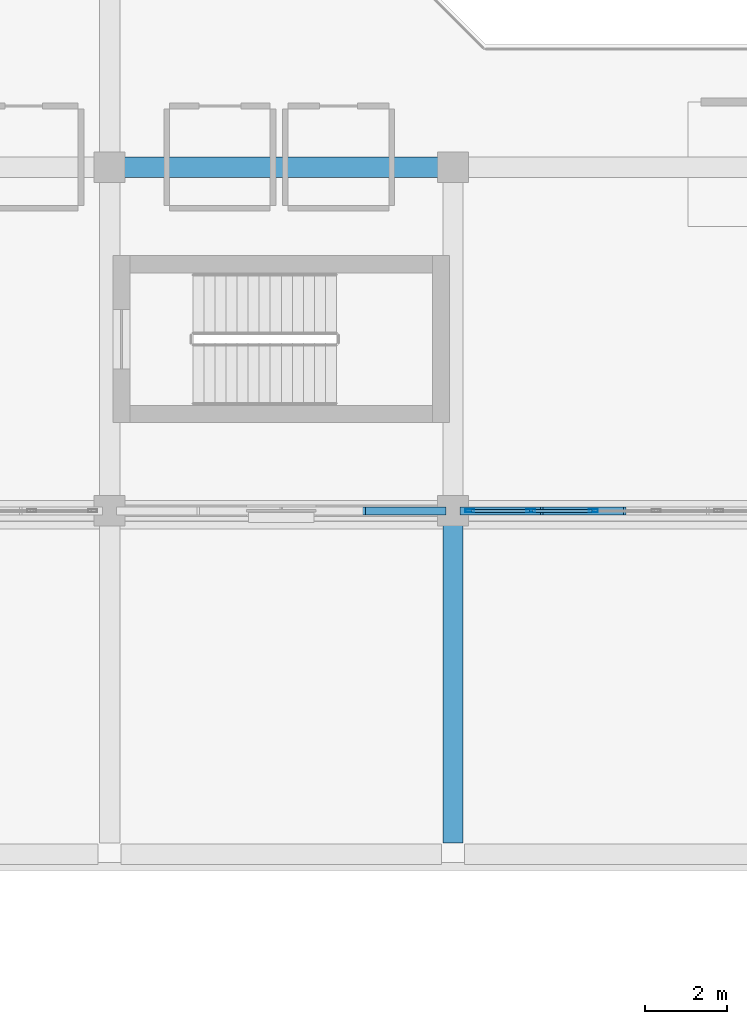
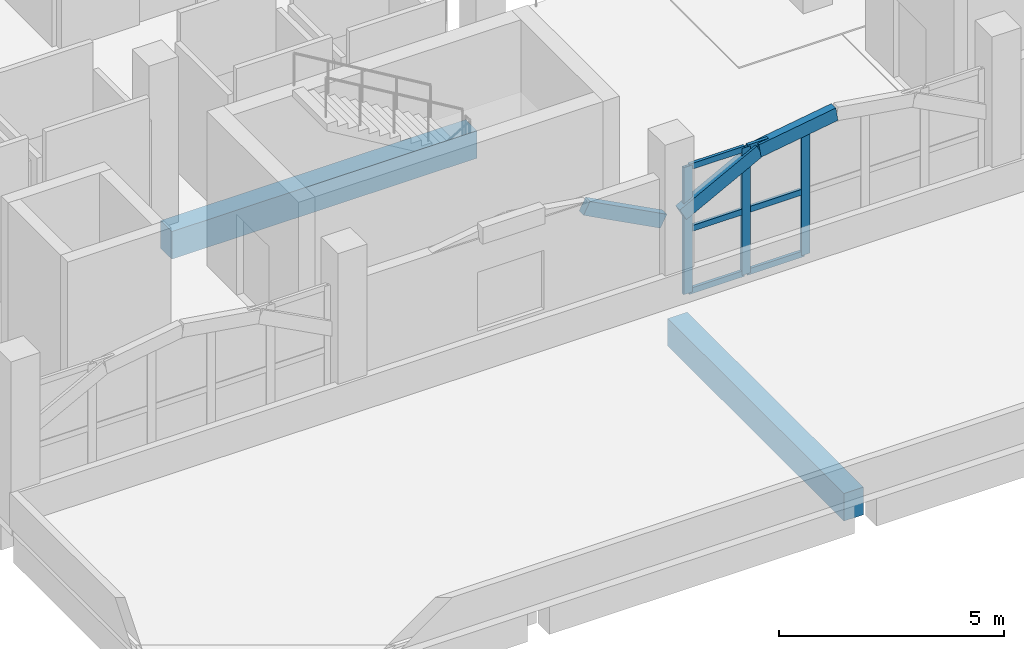
# One storey, part 5 of 30: 12 members, 2 beams, 1 element without a shape of its own.
"""IFC4 building model written with IfcOpenShell, lengths in metres."""

from ifc_helpers import new_model, si_unit, direction, frame, origin, origin_2d, place, context, subcontext, project, spatial, rectangle, hollow_rectangle, extrude, material, layer, layer_set, material_profile, profile_set, type_object, element, aggregate, save


model = new_model("IFC4")

# Units and contexts
model_context = context("Model", 3, precision=1e-05, world=origin(), true_north=direction((0.0, 1.0)))
body_context = subcontext(model_context, "Body", "Model", "MODEL_VIEW")
ifc_project = project(units=[si_unit("LENGTHUNIT", "METRE"), si_unit("AREAUNIT", "SQUARE_METRE"), si_unit("VOLUMEUNIT", "CUBIC_METRE"), si_unit("PLANEANGLEUNIT", "RADIAN"), si_unit("MASSUNIT", "GRAM", prefix="KILO")], contexts=[model_context])

# Site, building, storey
site_placement = place(None, origin())
site = spatial("IfcSite", under=ifc_project, at=site_placement, CompositionType="ELEMENT")
building_placement = place(site_placement, origin())
building = spatial("IfcBuilding", under=site, at=building_placement, Name="Xazarin Passage Department Store", CompositionType="ELEMENT")
storey_placement = place(building_placement, frame((0.0, 0.0, 23.39990234375)))
storey = spatial("IfcBuildingStorey", under=building, at=storey_placement, Name="L05", CompositionType="ELEMENT", Elevation=23.39990234375)

# Curtain wall, members
ifc_material_1 = material(Name="Bronze anodised aluminium", Category="aluminium")
ifc_layer = layer(ifc_material_1, 0.199951171875)
ifc_layer_set = layer_set([ifc_layer], Name="Bronze anodised aluminium")
curtain_wall_type = type_object("IfcCurtainWallType", Name="ARC-CW-VIT2", PredefinedType="NOTDEFINED", material=ifc_layer_set)
curtain_wall_placement = place(storey_placement, origin())
curtain_wall = element("IfcCurtainWall", 1, at=curtain_wall_placement, inside=storey, type_object=curtain_wall_type, Name="L05 V1 Curtain Wall 077", PredefinedType="NOTDEFINED")
ifc_material_profile_1 = material_profile(ifc_material_1, hollow_rectangle(XDim=0.074951171875, YDim=0.219970703125, WallThickness=0.0048828125, at=origin_2d()), Name="ALU 75x220")
ifc_profile_set_1 = profile_set([ifc_material_profile_1], Name="Bronze anodised aluminium")
member_type_1 = type_object("IfcMemberType", Name="ARC-CWM-75x220", PredefinedType="MULLION", material=ifc_profile_set_1)
member_1_placement = place(storey_placement, frame((17.21240234375, 76.39990234375, 0.0), z_axis=(0.0, 0.0, 1.0), x_axis=(0.0, 1.0, 0.0)))
member_1 = element("IfcMember", 2, at=member_1_placement, type_object=member_type_1, Name="CW2 mullion 1", PredefinedType="MULLION", context=body_context, shape_type="SweptSolid", body=[
    extrude(hollow_rectangle(XDim=0.074951171875, YDim=0.219970703125, WallThickness=0.0048828125, at=origin_2d()), origin(), (0.0, 0.0, 1.0), 3.4501953125),
])
member_2_placement = place(storey_placement, frame((18.705078125, 76.39990234375, 0.0), z_axis=(0.0, 0.0, 1.0), x_axis=(0.0, 1.0, 0.0)))
member_2 = element("IfcMember", 3, at=member_2_placement, type_object=member_type_1, Name="CW2 mullion 2", PredefinedType="MULLION", context=body_context, shape_type="SweptSolid", body=[
    extrude(hollow_rectangle(XDim=0.074951171875, YDim=0.219970703125, WallThickness=0.0048828125, at=origin_2d()), origin(), (0.0, 0.0, 1.0), 3.4501953125),
])
member_3_placement = place(storey_placement, frame((20.235107421875, 76.39990234375, 0.0), z_axis=(0.0, 0.0, 1.0), x_axis=(0.0, 1.0, 0.0)))
member_3 = element("IfcMember", 4, at=member_3_placement, type_object=member_type_1, Name="CW2 mullion 3", PredefinedType="MULLION", context=body_context, shape_type="SweptSolid", body=[
    extrude(hollow_rectangle(XDim=0.074951171875, YDim=0.219970703125, WallThickness=0.0048828125, at=origin_2d()), origin(), (0.0, 0.0, 1.0), 3.4501953125),
])
ifc_material_profile_2 = material_profile(ifc_material_1, hollow_rectangle(XDim=0.074951171875, YDim=0.159912109375, WallThickness=0.00439453125, at=origin_2d()), Name="ALU 75x160")
ifc_profile_set_2 = profile_set([ifc_material_profile_2], Name="Bronze anodised aluminium")
member_type_2 = type_object("IfcMemberType", Name="ARC-CWT-75x160", PredefinedType="USERDEFINED", material=ifc_profile_set_2)
member_4_placement = place(storey_placement, frame((17.25, 76.39990234375, 0.03759765625), z_axis=(1.0, 0.0, 0.0), x_axis=(0.0, 1.0, 0.0)))
member_4 = element("IfcMember", 5, at=member_4_placement, type_object=member_type_2, Name="CW2 transom 1.1", ObjectType="TRANSOM", PredefinedType="USERDEFINED", context=body_context, shape_type="SweptSolid", body=[
    extrude(hollow_rectangle(XDim=0.074951171875, YDim=0.159912109375, WallThickness=0.00439453125, at=origin_2d()), origin(), (0.0, 0.0, 1.0), 1.41748046875),
])
member_5_placement = place(storey_placement, frame((17.25, 76.39990234375, 1.72509765625), z_axis=(1.0, 0.0, 0.0), x_axis=(0.0, 1.0, 0.0)))
member_5 = element("IfcMember", 6, at=member_5_placement, type_object=member_type_2, Name="CW2 transom 1.2", ObjectType="TRANSOM", PredefinedType="USERDEFINED", context=body_context, shape_type="SweptSolid", body=[
    extrude(hollow_rectangle(XDim=0.074951171875, YDim=0.159912109375, WallThickness=0.00439453125, at=origin_2d()), origin(), (0.0, 0.0, 1.0), 1.41748046875),
])
member_6_placement = place(storey_placement, frame((17.25, 76.39990234375, 3.41259765625), z_axis=(1.0, 0.0, 0.0), x_axis=(0.0, 1.0, 0.0)))
member_6 = element("IfcMember", 7, at=member_6_placement, type_object=member_type_2, Name="CW2 transom 1.3", ObjectType="TRANSOM", PredefinedType="USERDEFINED", context=body_context, shape_type="SweptSolid", body=[
    extrude(hollow_rectangle(XDim=0.074951171875, YDim=0.159912109375, WallThickness=0.00439453125, at=origin_2d()), origin(), (0.0, 0.0, 1.0), 1.41748046875),
])
member_7_placement = place(storey_placement, frame((18.742431640625, 76.39990234375, 0.03759765625), z_axis=(1.0, 0.0, 0.0), x_axis=(0.0, 1.0, 0.0)))
member_7 = element("IfcMember", 8, at=member_7_placement, type_object=member_type_2, Name="CW2 transom 2.1", ObjectType="TRANSOM", PredefinedType="USERDEFINED", context=body_context, shape_type="SweptSolid", body=[
    extrude(hollow_rectangle(XDim=0.074951171875, YDim=0.159912109375, WallThickness=0.00439453125, at=origin_2d()), origin(), (0.0, 0.0, 1.0), 1.455078125),
])
member_8_placement = place(storey_placement, frame((18.742431640625, 76.39990234375, 1.72509765625), z_axis=(1.0, 0.0, 0.0), x_axis=(0.0, 1.0, 0.0)))
member_8 = element("IfcMember", 9, at=member_8_placement, type_object=member_type_2, Name="CW2 transom 2.2", ObjectType="TRANSOM", PredefinedType="USERDEFINED", context=body_context, shape_type="SweptSolid", body=[
    extrude(hollow_rectangle(XDim=0.074951171875, YDim=0.159912109375, WallThickness=0.00439453125, at=origin_2d()), origin(), (0.0, 0.0, 1.0), 1.455078125),
])
member_9_placement = place(storey_placement, frame((18.742431640625, 76.39990234375, 3.41259765625), z_axis=(1.0, 0.0, 0.0), x_axis=(0.0, 1.0, 0.0)))
member_9 = element("IfcMember", 10, at=member_9_placement, type_object=member_type_2, Name="CW2 transom 2.3", ObjectType="TRANSOM", PredefinedType="USERDEFINED", context=body_context, shape_type="SweptSolid", body=[
    extrude(hollow_rectangle(XDim=0.074951171875, YDim=0.159912109375, WallThickness=0.00439453125, at=origin_2d()), origin(), (0.0, 0.0, 1.0), 1.455078125),
])
aggregate(curtain_wall, [member_1, member_2, member_3, member_4, member_5, member_6, member_7, member_8, member_9])

# Beams
ifc_material_2 = material(Name="Concrete C35/45", Category="concrete")
ifc_material_profile_3 = material_profile(ifc_material_2, rectangle(XDim=0.5, YDim=0.75, at=origin_2d()), Name="RC 500x750")
ifc_profile_set_3 = profile_set([ifc_material_profile_3], Name="Concrete C35/45")
beam_type = type_object("IfcBeamType", Name="STR-BM-SP500x750", PredefinedType="SPANDREL", material=ifc_profile_set_3)
for number, where, z_axis, x_axis, name in (
    (11, (8.679931640625, 84.800048828125, -0.6748046875), (1.0, 0.0, 0.0), (0.0, 1.0, 0.0), "L05 Grid Beam M/2-3"),
    (12, (16.800048828125, 68.280029296875, -0.6748046875), (0.0, 1.0, 0.0), (-1.0, 0.0, 0.0), "L05 Grid Beam 3/K-L"),
):
    element("IfcBeam", number, at=place(storey_placement, frame(where, z_axis=z_axis, x_axis=x_axis)), inside=storey, type_object=beam_type, Name=name, PredefinedType="SPANDREL", context=body_context, shape_type="SweptSolid", body=[
        extrude(rectangle(XDim=0.5, YDim=0.75, at=origin_2d()), origin(), (0.0, 0.0, 1.0), 7.840087890625),
    ])

# Members
ifc_material_3 = material(Name="Concrete C40/50", Category="concrete")
ifc_material_profile_4 = material_profile(ifc_material_3, rectangle(XDim=0.199951171875, YDim=0.360107421875, at=origin_2d()), Name="RC 200x360")
ifc_profile_set_4 = profile_set([ifc_material_profile_4], Name="Concrete C40/50")
member_type_3 = type_object("IfcMemberType", Name="STR-MEM-ARC360", PredefinedType="CHORD", material=ifc_profile_set_4)
member_10_placement = place(storey_placement, frame((14.574951171875, 76.39990234375, 3.2705078125), z_axis=(0.88473311603, 0.0, -0.466097965454), x_axis=(0.0, 1.0, 0.0)))
element("IfcMember", 13, at=member_10_placement, inside=storey, type_object=member_type_3, Name="L05 V1 Upper Setback Pierced Arch 029.4", PredefinedType="CHORD", context=body_context, shape_type="SweptSolid", body=[
    extrude(rectangle(XDim=0.199951171875, YDim=0.360107421875, at=origin_2d()), origin(), (0.0, 0.0, 1.0), 2.232421875),
])
member_11_placement = place(storey_placement, frame((17.050048828125, 76.39990234375, 2.22998046875), z_axis=(0.884709354127, 0.0, 0.466143066793), x_axis=(0.0, 1.0, 0.0)))
element("IfcMember", 14, at=member_11_placement, inside=storey, type_object=member_type_3, Name="L05 V1 Upper Setback Pierced Arch 030.1", PredefinedType="CHORD", context=body_context, shape_type="SweptSolid", body=[
    extrude(rectangle(XDim=0.199951171875, YDim=0.360107421875, at=origin_2d()), origin(), (0.0, 0.0, 1.0), 2.232177734375),
])
member_12_placement = place(storey_placement, frame((19.02490234375, 76.39990234375, 3.2705078125), z_axis=(0.987938581312, 0.0, 0.154846244883), x_axis=(0.0, 1.0, 0.0)))
element("IfcMember", 15, at=member_12_placement, inside=storey, type_object=member_type_3, Name="L05 V1 Upper Setback Pierced Arch 030.2", PredefinedType="CHORD", context=body_context, shape_type="SweptSolid", body=[
    extrude(rectangle(XDim=0.199951171875, YDim=0.360107421875, at=origin_2d()), origin(), (0.0, 0.0, 1.0), 1.999267578125),
])

save(model, "model.ifc")
